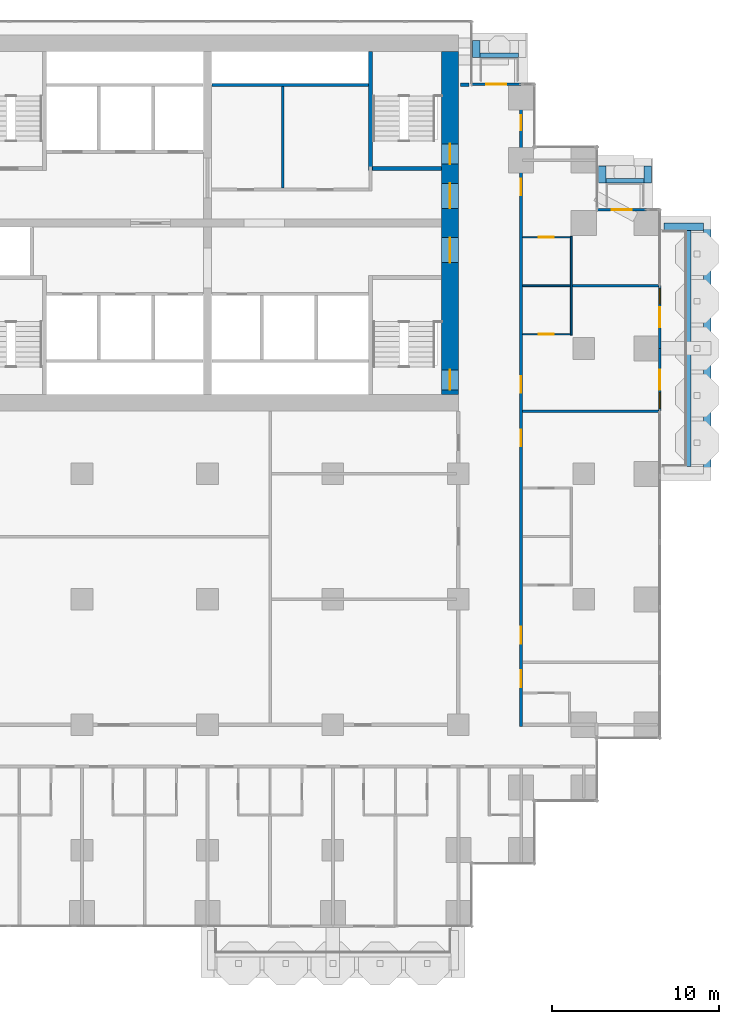
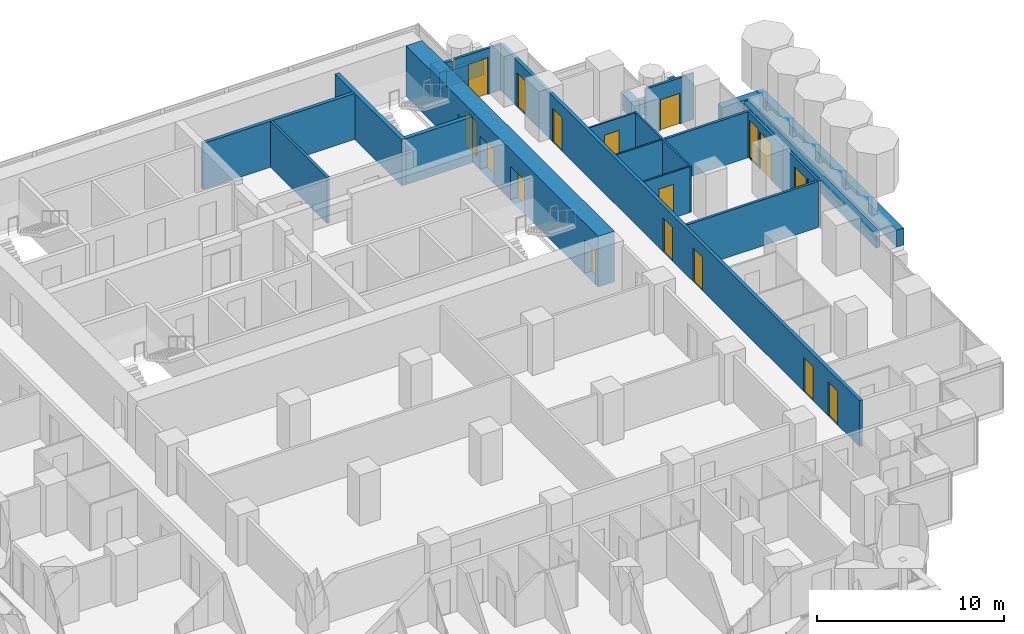
# One storey, part 15 of 19: 25 walls, 16 doors, 2 windows, 18 openings.
"""IFC4 building model written with IfcOpenShell, lengths in metres."""

from ifc_helpers import new_model, si_unit, direction, frame, frame_2d, origin, place, context, subcontext, project, spatial, rectangle, extrude, material, layer, layer_set, type_object, element, fill, save


model = new_model("IFC4")

# Units and contexts
model_context = context("Model", 3, precision=1e-05, world=origin(), true_north=direction((0.0, 1.0)))
body_context = subcontext(model_context, "Body", "Model", "MODEL_VIEW")
ifc_project = project(units=[si_unit("LENGTHUNIT", "METRE"), si_unit("AREAUNIT", "SQUARE_METRE"), si_unit("VOLUMEUNIT", "CUBIC_METRE"), si_unit("PLANEANGLEUNIT", "RADIAN"), si_unit("MASSUNIT", "GRAM", prefix="KILO")], contexts=[model_context])

# Site, building, storey
site_placement = place(None, origin())
site = spatial("IfcSite", under=ifc_project, at=site_placement, CompositionType="ELEMENT")
building_placement = place(site_placement, origin())
building = spatial("IfcBuilding", under=site, at=building_placement, Name="Pilkhan Gate Tower", CompositionType="ELEMENT")
storey_placement = place(building_placement, frame((0.0, 0.0, 72.5)))
storey = spatial("IfcBuildingStorey", under=building, at=storey_placement, Name="L16", CompositionType="ELEMENT", Elevation=72.5)

# Walls
ifc_material_1 = material(Name="Concrete C40/50", Category="concrete")
ifc_layer_1 = layer(ifc_material_1, 0.25)
ifc_layer_set_1 = layer_set([ifc_layer_1], Name="Balcony planter BP250")
wall_type_1 = type_object("IfcWallType", Name="Balcony planter BP250", PredefinedType="USERDEFINED", material=ifc_layer_set_1)
wall_1_placement = place(storey_placement, frame((103.77490234375, 67.949951171875, 0.0), z_axis=(0.0, 0.0, 1.0), x_axis=(0.0, 1.0, 0.0)))
element("IfcWall", 1, at=wall_1_placement, inside=storey, type_object=wall_type_1, Name="Balcony planter L16 E", ObjectType="BALCONY PLANTER", PredefinedType="USERDEFINED", context=body_context, shape_type="SweptSolid", body=[
    extrude(rectangle(XDim=14.10009765625, YDim=0.25, at=frame_2d((7.050048828125, 0.0))), origin(), (0.0, 0.0, 1.0), 1.0),
])
wall_2_placement = place(storey_placement, frame((91.300048828125, 92.52490234375, 0.0), z_axis=(0.0, 0.0, 1.0), x_axis=(1.0, 0.0, 0.0)))
element("IfcWall", 2, at=wall_2_placement, inside=storey, type_object=wall_type_1, Name="Balcony planter L16 N", ObjectType="BALCONY PLANTER", PredefinedType="USERDEFINED", context=body_context, shape_type="SweptSolid", body=[
    extrude(rectangle(XDim=2.300048828125, YDim=0.25, at=frame_2d((1.14990234375, 0.0))), origin(), (0.0, 0.0, 1.0), 1.0),
])
wall_3_placement = place(storey_placement, frame((98.820068359375, 85.02490234375, 0.0), z_axis=(0.0, 0.0, 1.0), x_axis=(1.0, 0.0, 0.0)))
element("IfcWall", 3, at=wall_3_placement, inside=storey, type_object=wall_type_1, Name="Balcony planter L16 N", ObjectType="BALCONY PLANTER", PredefinedType="USERDEFINED", context=body_context, shape_type="SweptSolid", body=[
    extrude(rectangle(XDim=2.280029296875, YDim=0.25, at=frame_2d((1.14013671875, 0.0))), origin(), (0.0, 0.0, 1.0), 1.0),
])
ifc_material_2 = material(Name="Board-marked Concrete C40/50", Category="concrete")
ifc_layer_2 = layer(ifc_material_2, 0.449951171875)
ifc_layer_set_2 = layer_set([ifc_layer_2], Name="Balcony planter lip BL450")
wall_type_2 = type_object("IfcWallType", Name="Balcony planter lip BL450", PredefinedType="USERDEFINED", material=ifc_layer_set_2)
wall_4_placement = place(storey_placement, frame((104.875, 67.5, 0.0), z_axis=(0.0, 0.0, 1.0), x_axis=(0.0, 1.0, 0.0)))
element("IfcWall", 4, at=wall_4_placement, inside=storey, type_object=wall_type_2, Name="Balcony planter L16 E", ObjectType="BALCONY PLANTER", PredefinedType="USERDEFINED", context=body_context, shape_type="SweptSolid", body=[
    extrude(rectangle(XDim=15.0, YDim=0.449951171875, at=frame_2d((7.5, 0.0))), origin(), (0.0, 0.0, 1.0), 1.10009765625),
])
wall_5_placement = place(storey_placement, frame((102.300048828125, 82.27490234375, 0.0), z_axis=(0.0, 0.0, 1.0), x_axis=(1.0, 0.0, 0.0)))
element("IfcWall", 5, at=wall_5_placement, inside=storey, type_object=wall_type_2, Name="Balcony planter L16 E", ObjectType="BALCONY PLANTER", PredefinedType="USERDEFINED", context=body_context, shape_type="SweptSolid", body=[
    extrude(rectangle(XDim=2.349853515625, YDim=0.449951171875, at=frame_2d((1.1748046875, 0.0))), origin(), (0.0, 0.0, 1.0), 1.10009765625),
])
for number, where, z_axis, x_axis, name in (
    (6, (91.074951171875, 92.39990234375, 0.0), (0.0, 0.0, 1.0), (0.0, 1.0, 0.0), "Balcony planter L16 N"),
    (7, (98.594970703125, 84.89990234375, 0.0), (0.0, 0.0, 1.0), (0.0, 1.0, 0.0), "Balcony planter L16 N"),
    (8, (101.324951171875, 84.89990234375, 0.0), (0.0, 0.0, 1.0), (0.0, 1.0, 0.0), "Balcony planter L16 N"),
):
    element("IfcWall", number, at=place(storey_placement, frame(where, z_axis=z_axis, x_axis=x_axis)), inside=storey, type_object=wall_type_2, Name=name, ObjectType="BALCONY PLANTER", PredefinedType="USERDEFINED", context=body_context, shape_type="SweptSolid", body=[
        extrude(rectangle(XDim=1.0, YDim=0.449951171875, at=frame_2d((0.5, 0.0))), origin(), (0.0, 0.0, 1.0), 1.10009765625),
    ])

# Wall, openings, doors
ifc_material_3 = material(Name="Concrete C70/85", Category="concrete")
ifc_layer_3 = layer(ifc_material_3, 1.0)
ifc_layer_set_3 = layer_set([ifc_layer_3], Name="Core wall CW1000 C70/85")
wall_type_3 = type_object("IfcWallType", Name="Core wall CW1000 C70/85", PredefinedType="SHEAR", material=ifc_layer_set_3)
wall_6_placement = place(storey_placement, frame((89.5, 72.25, 0.0), z_axis=(0.0, 0.0, 1.0), x_axis=(0.0, 1.0, 0.0)))
wall_6 = element("IfcWall", 9, at=wall_6_placement, inside=storey, type_object=wall_type_3, Name="Core wall E L16", PredefinedType="SHEAR", context=body_context, shape_type="SweptSolid", body=[
    extrude(rectangle(XDim=20.5, YDim=1.0, at=frame_2d((10.25, 0.0))), origin(), (0.0, 0.0, 1.0), 3.300048828125),
])
opening_1_placement = place(wall_6_placement, frame((0.27490234375, 0.0, 0.0)))
opening_1 = element("IfcOpeningElement", 10, at=opening_1_placement, cuts=wall_6, Name="Opening L16-03", PredefinedType="OPENING", context=body_context, shape_type="SweptSolid", body=[
    extrude(rectangle(XDim=1.199951171875, YDim=2.199951171875, at=frame_2d((0.60009765625, 1.10009765625))), frame((0.0, 0.510009765625, 0.0), z_axis=(0.0, -1.0, 0.0), x_axis=(1.0, 0.0, 0.0)), (0.0, 0.0, 1.0), 1.02001953125),
])
opening_2_placement = place(wall_6_placement, frame((13.77490234375, 0.0, 0.0)))
opening_2 = element("IfcOpeningElement", 11, at=opening_2_placement, cuts=wall_6, Name="Opening L16-05", PredefinedType="OPENING", context=body_context, shape_type="SweptSolid", body=[
    extrude(rectangle(XDim=1.199951171875, YDim=2.199951171875, at=frame_2d((0.60009765625, 1.10009765625))), frame((0.0, 0.510009765625, 0.0), z_axis=(0.0, -1.0, 0.0), x_axis=(1.0, 0.0, 0.0)), (0.0, 0.0, 1.0), 1.02001953125),
])
opening_3_placement = place(wall_6_placement, frame((7.875, 0.0, 0.0)))
opening_3 = element("IfcOpeningElement", 12, at=opening_3_placement, cuts=wall_6, Name="Opening L16-46", PredefinedType="OPENING", context=body_context, shape_type="SweptSolid", body=[
    extrude(rectangle(XDim=1.5, YDim=2.199951171875, at=frame_2d((0.75, 1.10009765625))), frame((0.0, 0.510009765625, 0.0), z_axis=(0.0, -1.0, 0.0), x_axis=(1.0, 0.0, 0.0)), (0.0, 0.0, 1.0), 1.02001953125),
])
opening_4_placement = place(wall_6_placement, frame((11.125, 0.0, 0.0)))
opening_4 = element("IfcOpeningElement", 13, at=opening_4_placement, cuts=wall_6, Name="Opening L16-48", PredefinedType="OPENING", context=body_context, shape_type="SweptSolid", body=[
    extrude(rectangle(XDim=1.5, YDim=2.199951171875, at=frame_2d((0.75, 1.10009765625))), frame((0.0, 0.510009765625, 0.0), z_axis=(0.0, -1.0, 0.0), x_axis=(1.0, 0.0, 0.0)), (0.0, 0.0, 1.0), 1.02001953125),
])
ifc_material_4 = material(Name="Steel framed glazed door, 60 minute fire resisting", Category="steel")
door_type_1 = type_object("IfcDoorType", Name="Lobby door D09 1500x2200", OperationType="DOUBLE_DOOR_SINGLE_SWING", PredefinedType="DOOR", material=ifc_material_4)
door_1_placement = place(opening_3_placement, origin())
door_1 = element("IfcDoor", 14, at=door_1_placement, inside=storey, type_object=door_type_1, Name="Core door", OperationType="DOUBLE_DOOR_SINGLE_SWING", OverallHeight=2.199951171875, OverallWidth=1.5, PredefinedType="DOOR", context=body_context, shape_type="SweptSolid", body=[
    extrude(rectangle(XDim=1.5, YDim=2.199951171875, at=frame_2d((0.75, 1.10009765625))), frame((0.0, 0.02490234375, 0.0), z_axis=(0.0, -1.0, 0.0), x_axis=(1.0, 0.0, 0.0)), (0.0, 0.0, 1.0), 0.050048828125),
])
fill(opening_3, door_1)
door_2_placement = place(opening_4_placement, origin())
door_2 = element("IfcDoor", 15, at=door_2_placement, inside=storey, type_object=door_type_1, Name="Core door", OperationType="DOUBLE_DOOR_SINGLE_SWING", OverallHeight=2.199951171875, OverallWidth=1.5, PredefinedType="DOOR", context=body_context, shape_type="SweptSolid", body=[
    extrude(rectangle(XDim=1.5, YDim=2.199951171875, at=frame_2d((0.75, 1.10009765625))), frame((0.0, 0.02490234375, 0.0), z_axis=(0.0, -1.0, 0.0), x_axis=(1.0, 0.0, 0.0)), (0.0, 0.0, 1.0), 0.050048828125),
])
fill(opening_4, door_2)
ifc_material_5 = material(Name="Steel door, 120 minute fire resisting, panic bar", Category="steel")
door_type_2 = type_object("IfcDoorType", Name="Stair door D11 1200x2200", OperationType="SINGLE_SWING_LEFT", PredefinedType="DOOR", material=ifc_material_5)
door_3_placement = place(opening_1_placement, origin())
door_3 = element("IfcDoor", 16, at=door_3_placement, inside=storey, type_object=door_type_2, Name="Stair ST1 door", OperationType="SINGLE_SWING_RIGHT", OverallHeight=2.199951171875, OverallWidth=1.199951171875, PredefinedType="DOOR", context=body_context, shape_type="SweptSolid", body=[
    extrude(rectangle(XDim=1.199951171875, YDim=2.199951171875, at=frame_2d((0.60009765625, 1.10009765625))), frame((0.0, 0.02490234375, 0.0), z_axis=(0.0, -1.0, 0.0), x_axis=(1.0, 0.0, 0.0)), (0.0, 0.0, 1.0), 0.050048828125),
])
fill(opening_1, door_3)
door_4_placement = place(opening_2_placement, origin())
door_4 = element("IfcDoor", 17, at=door_4_placement, inside=storey, type_object=door_type_2, Name="Stair ST4 door", OperationType="SINGLE_SWING_RIGHT", OverallHeight=2.199951171875, OverallWidth=1.199951171875, PredefinedType="DOOR", context=body_context, shape_type="SweptSolid", body=[
    extrude(rectangle(XDim=1.199951171875, YDim=2.199951171875, at=frame_2d((0.60009765625, 1.10009765625))), frame((0.0, 0.02490234375, 0.0), z_axis=(0.0, -1.0, 0.0), x_axis=(1.0, 0.0, 0.0)), (0.0, 0.0, 1.0), 0.050048828125),
])
fill(opening_2, door_4)

# Wall
ifc_material_6 = material(Name="Dense blockwork", Category="masonry")
ifc_layer_4 = layer(ifc_material_6, 0.199951171875)
ifc_layer_set_4 = layer_set([ifc_layer_4], Name="Corridor wall FW200")
wall_type_4 = type_object("IfcWallType", Name="Corridor wall FW200", PredefinedType="PARTITIONING", material=ifc_layer_set_4)
wall_7_placement = place(storey_placement, frame((90.1201171875, 90.764892578125, 0.0), z_axis=(0.0, 0.0, 1.0), x_axis=(1.0, 0.0, 0.0)))
element("IfcWall", 18, at=wall_7_placement, inside=storey, type_object=wall_type_4, Name="Partition L16", PredefinedType="PARTITIONING", context=body_context, shape_type="SweptSolid", body=[
    extrude(rectangle(XDim=0.52490234375, YDim=0.199951171875, at=frame_2d((0.262451171875, 0.0))), origin(), (0.0, 0.0, 1.0), 3.0),
])

# Wall, openings, doors
wall_8_placement = place(storey_placement, frame((93.75, 52.39990234375, 0.0), z_axis=(0.0, 0.0, 1.0), x_axis=(0.0, 1.0, 0.0)))
wall_8 = element("IfcWall", 19, at=wall_8_placement, inside=storey, type_object=wall_type_4, Name="Partition L16", PredefinedType="PARTITIONING", context=body_context, shape_type="SweptSolid", body=[
    extrude(rectangle(XDim=38.31005859375, YDim=0.199951171875, at=frame_2d((19.155029296875, 0.0))), origin(), (0.0, 0.0, 1.0), 3.0),
])
opening_5_placement = place(wall_8_placement, frame((2.35009765625, 0.0, 0.0)))
opening_5 = element("IfcOpeningElement", 20, at=opening_5_placement, cuts=wall_8, Name="Opening L16-36", PredefinedType="OPENING", context=body_context, shape_type="SweptSolid", body=[
    extrude(rectangle(XDim=1.0, YDim=2.199951171875, at=frame_2d((0.5, 1.10009765625))), frame((0.0, 0.10986328125, 0.0), z_axis=(0.0, -1.0, 0.0), x_axis=(1.0, 0.0, 0.0)), (0.0, 0.0, 1.0), 0.219970703125),
])
opening_6_placement = place(wall_8_placement, frame((4.949951171875, 0.0, 0.0)))
opening_6 = element("IfcOpeningElement", 21, at=opening_6_placement, cuts=wall_8, Name="Opening L16-38", PredefinedType="OPENING", context=body_context, shape_type="SweptSolid", body=[
    extrude(rectangle(XDim=1.0, YDim=2.199951171875, at=frame_2d((0.5, 1.10009765625))), frame((0.0, 0.10986328125, 0.0), z_axis=(0.0, -1.0, 0.0), x_axis=(1.0, 0.0, 0.0)), (0.0, 0.0, 1.0), 0.219970703125),
])
opening_7_placement = place(wall_8_placement, frame((16.75, 0.0, 0.0)))
opening_7 = element("IfcOpeningElement", 22, at=opening_7_placement, cuts=wall_8, Name="Opening L16-40", PredefinedType="OPENING", context=body_context, shape_type="SweptSolid", body=[
    extrude(rectangle(XDim=1.0, YDim=2.199951171875, at=frame_2d((0.5, 1.10009765625))), frame((0.0, 0.10986328125, 0.0), z_axis=(0.0, -1.0, 0.0), x_axis=(1.0, 0.0, 0.0)), (0.0, 0.0, 1.0), 0.219970703125),
])
opening_8_placement = place(wall_8_placement, frame((19.949951171875, 0.0, 0.0)))
opening_8 = element("IfcOpeningElement", 23, at=opening_8_placement, cuts=wall_8, Name="Opening L16-42", PredefinedType="OPENING", context=body_context, shape_type="SweptSolid", body=[
    extrude(rectangle(XDim=1.0, YDim=2.199951171875, at=frame_2d((0.5, 1.10009765625))), frame((0.0, 0.10986328125, 0.0), z_axis=(0.0, -1.0, 0.0), x_axis=(1.0, 0.0, 0.0)), (0.0, 0.0, 1.0), 0.219970703125),
])
opening_9_placement = place(wall_8_placement, frame((31.75, 0.0, 0.0)))
opening_9 = element("IfcOpeningElement", 24, at=opening_9_placement, cuts=wall_8, Name="Opening L16-44", PredefinedType="OPENING", context=body_context, shape_type="SweptSolid", body=[
    extrude(rectangle(XDim=1.0, YDim=2.199951171875, at=frame_2d((0.5, 1.10009765625))), frame((0.0, 0.10986328125, 0.0), z_axis=(0.0, -1.0, 0.0), x_axis=(1.0, 0.0, 0.0)), (0.0, 0.0, 1.0), 0.219970703125),
])
opening_10_placement = place(wall_8_placement, frame((35.64990234375, 0.0, 0.0)))
opening_10 = element("IfcOpeningElement", 25, at=opening_10_placement, cuts=wall_8, Name="Opening L16-53", PredefinedType="OPENING", context=body_context, shape_type="SweptSolid", body=[
    extrude(rectangle(XDim=0.89990234375, YDim=2.199951171875, at=frame_2d((0.449951171875, 1.10009765625))), frame((0.0, 0.10986328125, 0.0), z_axis=(0.0, -1.0, 0.0), x_axis=(1.0, 0.0, 0.0)), (0.0, 0.0, 1.0), 0.219970703125),
])
ifc_material_7 = material(Name="Timber flush door, 30 minute fire resisting", Category="wood")
door_type_3 = type_object("IfcDoorType", Name="Guest room door D01 1000x2200", OperationType="SINGLE_SWING_LEFT", PredefinedType="DOOR", material=ifc_material_7)
door_5_placement = place(opening_5_placement, origin())
door_5 = element("IfcDoor", 26, at=door_5_placement, inside=storey, type_object=door_type_3, Name="Guest room door", OperationType="SINGLE_SWING_LEFT", OverallHeight=2.199951171875, OverallWidth=1.0, PredefinedType="DOOR", context=body_context, shape_type="SweptSolid", body=[
    extrude(rectangle(XDim=1.0, YDim=2.199951171875, at=frame_2d((0.5, 1.10009765625))), frame((0.0, 0.02490234375, 0.0), z_axis=(0.0, -1.0, 0.0), x_axis=(1.0, 0.0, 0.0)), (0.0, 0.0, 1.0), 0.050048828125),
])
fill(opening_5, door_5)
door_6_placement = place(opening_6_placement, origin())
door_6 = element("IfcDoor", 27, at=door_6_placement, inside=storey, type_object=door_type_3, Name="Guest room door", OperationType="SINGLE_SWING_LEFT", OverallHeight=2.199951171875, OverallWidth=1.0, PredefinedType="DOOR", context=body_context, shape_type="SweptSolid", body=[
    extrude(rectangle(XDim=1.0, YDim=2.199951171875, at=frame_2d((0.5, 1.10009765625))), frame((0.0, 0.02490234375, 0.0), z_axis=(0.0, -1.0, 0.0), x_axis=(1.0, 0.0, 0.0)), (0.0, 0.0, 1.0), 0.050048828125),
])
fill(opening_6, door_6)
door_7_placement = place(opening_7_placement, origin())
door_7 = element("IfcDoor", 28, at=door_7_placement, inside=storey, type_object=door_type_3, Name="Guest room door", OperationType="SINGLE_SWING_LEFT", OverallHeight=2.199951171875, OverallWidth=1.0, PredefinedType="DOOR", context=body_context, shape_type="SweptSolid", body=[
    extrude(rectangle(XDim=1.0, YDim=2.199951171875, at=frame_2d((0.5, 1.10009765625))), frame((0.0, 0.02490234375, 0.0), z_axis=(0.0, -1.0, 0.0), x_axis=(1.0, 0.0, 0.0)), (0.0, 0.0, 1.0), 0.050048828125),
])
fill(opening_7, door_7)
door_8_placement = place(opening_8_placement, origin())
door_8 = element("IfcDoor", 29, at=door_8_placement, inside=storey, type_object=door_type_3, Name="Guest room door", OperationType="SINGLE_SWING_LEFT", OverallHeight=2.199951171875, OverallWidth=1.0, PredefinedType="DOOR", context=body_context, shape_type="SweptSolid", body=[
    extrude(rectangle(XDim=1.0, YDim=2.199951171875, at=frame_2d((0.5, 1.10009765625))), frame((0.0, 0.02490234375, 0.0), z_axis=(0.0, -1.0, 0.0), x_axis=(1.0, 0.0, 0.0)), (0.0, 0.0, 1.0), 0.050048828125),
])
fill(opening_8, door_8)
door_9_placement = place(opening_9_placement, origin())
door_9 = element("IfcDoor", 30, at=door_9_placement, inside=storey, type_object=door_type_3, Name="Guest room door", OperationType="SINGLE_SWING_LEFT", OverallHeight=2.199951171875, OverallWidth=1.0, PredefinedType="DOOR", context=body_context, shape_type="SweptSolid", body=[
    extrude(rectangle(XDim=1.0, YDim=2.199951171875, at=frame_2d((0.5, 1.10009765625))), frame((0.0, 0.02490234375, 0.0), z_axis=(0.0, -1.0, 0.0), x_axis=(1.0, 0.0, 0.0)), (0.0, 0.0, 1.0), 0.050048828125),
])
fill(opening_9, door_9)
ifc_material_8 = material(Name="Timber flush door, 60 minute fire resisting, self-closing", Category="wood")
door_type_4 = type_object("IfcDoorType", Name="Store door D05 900x2200", OperationType="SINGLE_SWING_LEFT", PredefinedType="DOOR", material=ifc_material_8)
door_10_placement = place(opening_10_placement, origin())
door_10 = element("IfcDoor", 31, at=door_10_placement, inside=storey, type_object=door_type_4, Name="Store door", OperationType="SINGLE_SWING_LEFT", OverallHeight=2.199951171875, OverallWidth=0.89990234375, PredefinedType="DOOR", context=body_context, shape_type="SweptSolid", body=[
    extrude(rectangle(XDim=0.89990234375, YDim=2.199951171875, at=frame_2d((0.449951171875, 1.10009765625))), frame((0.0, 0.02490234375, 0.0), z_axis=(0.0, -1.0, 0.0), x_axis=(1.0, 0.0, 0.0)), (0.0, 0.0, 1.0), 0.050048828125),
])
fill(opening_10, door_10)

# Wall, openings, door, window
ifc_material_9 = material(Name="Pale anodised aluminium, clear laminated glazing", Category="aluminium")
ifc_layer_5 = layer(ifc_material_9, 0.14990234375)
ifc_layer_set_5 = layer_set([ifc_layer_5], Name="Facade infill wall IW150")
wall_type_5 = type_object("IfcWallType", Name="Facade infill wall IW150", PredefinedType="SOLIDWALL", material=ifc_layer_set_5)
wall_9_placement = place(storey_placement, frame((102.044921875, 71.25, 0.0), z_axis=(0.0, 0.0, 1.0), x_axis=(0.0, 1.0, 0.0)))
wall_9 = element("IfcWall", 32, at=wall_9_placement, inside=storey, type_object=wall_type_5, Name="Infill wall L16 E", PredefinedType="SOLIDWALL", context=body_context, shape_type="SweptSolid", body=[
    extrude(rectangle(XDim=3.75, YDim=0.14990234375, at=frame_2d((1.875, 0.0))), origin(), (0.0, 0.0, 1.0), 3.0),
])
opening_11_placement = place(wall_9_placement, frame((0.1875, 0.0, 0.10009765625)))
opening_11 = element("IfcOpeningElement", 33, at=opening_11_placement, cuts=wall_9, Name="Opening W1", PredefinedType="OPENING", context=body_context, shape_type="SweptSolid", body=[
    extrude(rectangle(XDim=0.89990234375, YDim=2.39990234375, at=frame_2d((0.449951171875, 1.199951171875))), frame((0.0, 0.0849609375, 0.0), z_axis=(0.0, -1.0, 0.0), x_axis=(1.0, 0.0, 0.0)), (0.0, 0.0, 1.0), 0.169921875),
])
opening_12_placement = place(wall_9_placement, frame((1.27490234375, 0.0, 0.0)))
opening_12 = element("IfcOpeningElement", 34, at=opening_12_placement, cuts=wall_9, Name="Opening D1", PredefinedType="OPENING", context=body_context, shape_type="SweptSolid", body=[
    extrude(rectangle(XDim=1.199951171875, YDim=2.39990234375, at=frame_2d((0.60009765625, 1.199951171875))), frame((0.0, 0.0849609375, 0.0), z_axis=(0.0, -1.0, 0.0), x_axis=(1.0, 0.0, 0.0)), (0.0, 0.0, 1.0), 0.169921875),
])
ifc_material_10 = material(Name="Pale anodised aluminium, clear glazing", Category="aluminium")
door_type_5 = type_object("IfcDoorType", Name="Balcony door D1 1200x2400", OperationType="SINGLE_SWING_LEFT", PredefinedType="DOOR", material=ifc_material_10)
door_11_placement = place(opening_12_placement, origin())
door_11 = element("IfcDoor", 35, at=door_11_placement, inside=storey, type_object=door_type_5, Name="Balcony door L16", OperationType="SINGLE_SWING_LEFT", OverallHeight=2.39990234375, OverallWidth=1.199951171875, PredefinedType="DOOR", context=body_context, shape_type="SweptSolid", body=[
    extrude(rectangle(XDim=1.199951171875, YDim=2.39990234375, at=frame_2d((0.60009765625, 1.199951171875))), frame((0.0, 0.02490234375, 0.0), z_axis=(0.0, -1.0, 0.0), x_axis=(1.0, 0.0, 0.0)), (0.0, 0.0, 1.0), 0.050048828125),
])
fill(opening_12, door_11)
ifc_material_11 = material(Name="Pale anodised aluminium, clear double glazing", Category="aluminium")
window_type = type_object("IfcWindowType", Name="Window W1 900x2400", PartitioningType="SINGLE_PANEL", PredefinedType="WINDOW", material=ifc_material_11)
window_1_placement = place(opening_11_placement, origin())
window_1 = element("IfcWindow", 36, at=window_1_placement, inside=storey, type_object=window_type, Name="Window L16", OverallHeight=2.39990234375, OverallWidth=0.89990234375, PartitioningType="SINGLE_PANEL", PredefinedType="WINDOW", context=body_context, shape_type="SweptSolid", body=[
    extrude(rectangle(XDim=0.89990234375, YDim=2.39990234375, at=frame_2d((0.449951171875, 1.199951171875))), frame((0.0, 0.030029296875, 0.0), z_axis=(0.0, -1.0, 0.0), x_axis=(1.0, 0.0, 0.0)), (0.0, 0.0, 1.0), 0.06005859375),
])
fill(opening_11, window_1)

wall_10_placement = place(storey_placement, frame((102.044921875, 75.0, 0.0), z_axis=(0.0, 0.0, 1.0), x_axis=(0.0, 1.0, 0.0)))
wall_10 = element("IfcWall", 37, at=wall_10_placement, inside=storey, type_object=wall_type_5, Name="Infill wall L16 E", PredefinedType="SOLIDWALL", context=body_context, shape_type="SweptSolid", body=[
    extrude(rectangle(XDim=3.75, YDim=0.14990234375, at=frame_2d((1.875, 0.0))), origin(), (0.0, 0.0, 1.0), 3.0),
])
opening_13_placement = place(wall_10_placement, frame((1.27490234375, 0.0, 0.0)))
opening_13 = element("IfcOpeningElement", 38, at=opening_13_placement, cuts=wall_10, Name="Opening D1", PredefinedType="OPENING", context=body_context, shape_type="SweptSolid", body=[
    extrude(rectangle(XDim=1.199951171875, YDim=2.39990234375, at=frame_2d((0.60009765625, 1.199951171875))), frame((0.0, 0.0849609375, 0.0), z_axis=(0.0, -1.0, 0.0), x_axis=(1.0, 0.0, 0.0)), (0.0, 0.0, 1.0), 0.169921875),
])
opening_14_placement = place(wall_10_placement, frame((2.66259765625, 0.0, 0.10009765625)))
opening_14 = element("IfcOpeningElement", 39, at=opening_14_placement, cuts=wall_10, Name="Opening W1", PredefinedType="OPENING", context=body_context, shape_type="SweptSolid", body=[
    extrude(rectangle(XDim=0.89990234375, YDim=2.39990234375, at=frame_2d((0.449951171875, 1.199951171875))), frame((0.0, 0.0849609375, 0.0), z_axis=(0.0, -1.0, 0.0), x_axis=(1.0, 0.0, 0.0)), (0.0, 0.0, 1.0), 0.169921875),
])
door_12_placement = place(opening_13_placement, origin())
door_12 = element("IfcDoor", 40, at=door_12_placement, inside=storey, type_object=door_type_5, Name="Balcony door L16", OperationType="SINGLE_SWING_LEFT", OverallHeight=2.39990234375, OverallWidth=1.199951171875, PredefinedType="DOOR", context=body_context, shape_type="SweptSolid", body=[
    extrude(rectangle(XDim=1.199951171875, YDim=2.39990234375, at=frame_2d((0.60009765625, 1.199951171875))), frame((0.0, 0.02490234375, 0.0), z_axis=(0.0, -1.0, 0.0), x_axis=(1.0, 0.0, 0.0)), (0.0, 0.0, 1.0), 0.050048828125),
])
fill(opening_13, door_12)
window_2_placement = place(opening_14_placement, origin())
window_2 = element("IfcWindow", 41, at=window_2_placement, inside=storey, type_object=window_type, Name="Window L16", OverallHeight=2.39990234375, OverallWidth=0.89990234375, PartitioningType="SINGLE_PANEL", PredefinedType="WINDOW", context=body_context, shape_type="SweptSolid", body=[
    extrude(rectangle(XDim=0.89990234375, YDim=2.39990234375, at=frame_2d((0.449951171875, 1.199951171875))), frame((0.0, 0.030029296875, 0.0), z_axis=(0.0, -1.0, 0.0), x_axis=(1.0, 0.0, 0.0)), (0.0, 0.0, 1.0), 0.06005859375),
])
fill(opening_14, window_2)

# Wall, opening, door
wall_11_placement = place(storey_placement, frame((98.294921875, 83.294921875, 0.0), z_axis=(0.0, 0.0, 1.0), x_axis=(1.0, 0.0, 0.0)))
wall_11 = element("IfcWall", 42, at=wall_11_placement, inside=storey, type_object=wall_type_5, Name="Infill wall L16 N", PredefinedType="SOLIDWALL", context=body_context, shape_type="SweptSolid", body=[
    extrude(rectangle(XDim=2.955078125, YDim=0.14990234375, at=frame_2d((1.4775390625, 0.0))), origin(), (0.0, 0.0, 1.0), 3.0),
])
opening_15_placement = place(wall_11_placement, frame((0.87744140625, 0.0, 0.0)))
opening_15 = element("IfcOpeningElement", 43, at=opening_15_placement, cuts=wall_11, Name="Opening D1L", PredefinedType="OPENING", context=body_context, shape_type="SweptSolid", body=[
    extrude(rectangle(XDim=1.199951171875, YDim=2.0, at=frame_2d((0.60009765625, 1.0))), frame((0.0, 0.0849609375, 0.0), z_axis=(0.0, -1.0, 0.0), x_axis=(1.0, 0.0, 0.0)), (0.0, 0.0, 1.0), 0.169921875),
])
door_type_6 = type_object("IfcDoorType", Name="Balcony door D1L 1200x2000", OperationType="SINGLE_SWING_LEFT", PredefinedType="DOOR", material=ifc_material_10)
door_13_placement = place(opening_15_placement, origin())
door_13 = element("IfcDoor", 44, at=door_13_placement, inside=storey, type_object=door_type_6, Name="Balcony door L16", OperationType="SINGLE_SWING_LEFT", OverallHeight=2.0, OverallWidth=1.199951171875, PredefinedType="DOOR", context=body_context, shape_type="SweptSolid", body=[
    extrude(rectangle(XDim=1.199951171875, YDim=2.0, at=frame_2d((0.60009765625, 1.0))), frame((0.0, 0.02490234375, 0.0), z_axis=(0.0, -1.0, 0.0), x_axis=(1.0, 0.0, 0.0)), (0.0, 0.0, 1.0), 0.050048828125),
])
fill(opening_15, door_13)

wall_12_placement = place(storey_placement, frame((90.794921875, 90.794921875, 0.0), z_axis=(0.0, 0.0, 1.0), x_axis=(1.0, 0.0, 0.0)))
wall_12 = element("IfcWall", 45, at=wall_12_placement, inside=storey, type_object=wall_type_5, Name="Infill wall L16 N", PredefinedType="SOLIDWALL", context=body_context, shape_type="SweptSolid", body=[
    extrude(rectangle(XDim=2.955078125, YDim=0.14990234375, at=frame_2d((1.4775390625, 0.0))), origin(), (0.0, 0.0, 1.0), 3.0),
])
opening_16_placement = place(wall_12_placement, frame((0.87744140625, 0.0, 0.0)))
opening_16 = element("IfcOpeningElement", 46, at=opening_16_placement, cuts=wall_12, Name="Opening D1", PredefinedType="OPENING", context=body_context, shape_type="SweptSolid", body=[
    extrude(rectangle(XDim=1.199951171875, YDim=2.39990234375, at=frame_2d((0.60009765625, 1.199951171875))), frame((0.0, 0.0849609375, 0.0), z_axis=(0.0, -1.0, 0.0), x_axis=(1.0, 0.0, 0.0)), (0.0, 0.0, 1.0), 0.169921875),
])
door_14_placement = place(opening_16_placement, origin())
door_14 = element("IfcDoor", 47, at=door_14_placement, inside=storey, type_object=door_type_5, Name="Balcony door L16", OperationType="SINGLE_SWING_LEFT", OverallHeight=2.39990234375, OverallWidth=1.199951171875, PredefinedType="DOOR", context=body_context, shape_type="SweptSolid", body=[
    extrude(rectangle(XDim=1.199951171875, YDim=2.39990234375, at=frame_2d((0.60009765625, 1.199951171875))), frame((0.0, 0.02490234375, 0.0), z_axis=(0.0, -1.0, 0.0), x_axis=(1.0, 0.0, 0.0)), (0.0, 0.0, 1.0), 0.050048828125),
])
fill(opening_16, door_14)

# Walls
ifc_layer_6 = layer(ifc_material_6, 0.199951171875)
ifc_layer_set_6 = layer_set([ifc_layer_6], Name="Lobby wall LW200")
wall_type_6 = type_object("IfcWallType", Name="Lobby wall LW200", PredefinedType="PARTITIONING", material=ifc_layer_set_6)
wall_13_placement = place(storey_placement, frame((75.260009765625, 90.75, 0.0), z_axis=(0.0, 0.0, 1.0), x_axis=(1.0, 0.0, 0.0)))
element("IfcWall", 48, at=wall_13_placement, inside=storey, type_object=wall_type_6, Name="Partition L16", PredefinedType="PARTITIONING", context=body_context, shape_type="SweptSolid", body=[
    extrude(rectangle(XDim=9.364990234375, YDim=0.199951171875, at=frame_2d((4.6826171875, 0.0))), origin(), (0.0, 0.0, 1.0), 3.0),
])
ifc_material_12 = material(Name="Blockwork partition, plastered both sides", Category="masonry")
ifc_layer_7 = layer(ifc_material_12, 0.14990234375)
ifc_layer_set_7 = layer_set([ifc_layer_7], Name="Partition PW150")
wall_type_7 = type_object("IfcWallType", Name="Partition PW150", PredefinedType="PARTITIONING", material=ifc_layer_set_7)
wall_14_placement = place(storey_placement, frame((93.85009765625, 71.25, 0.0), z_axis=(0.0, 0.0, 1.0), x_axis=(1.0, 0.0, 0.0)))
element("IfcWall", 49, at=wall_14_placement, inside=storey, type_object=wall_type_7, Name="Partition L16", PredefinedType="PARTITIONING", context=body_context, shape_type="SweptSolid", body=[
    extrude(rectangle(XDim=8.10986328125, YDim=0.14990234375, at=frame_2d((4.054931640625, 0.0))), origin(), (0.0, 0.0, 1.0), 3.0),
])
wall_15_placement = place(storey_placement, frame((96.800048828125, 78.75, 0.0), z_axis=(0.0, 0.0, 1.0), x_axis=(1.0, 0.0, 0.0)))
element("IfcWall", 50, at=wall_15_placement, inside=storey, type_object=wall_type_7, Name="Partition L16", PredefinedType="PARTITIONING", context=body_context, shape_type="SweptSolid", body=[
    extrude(rectangle(XDim=5.159912109375, YDim=0.14990234375, at=frame_2d((2.580078125, 0.0))), origin(), (0.0, 0.0, 1.0), 3.0),
])
wall_16_placement = place(storey_placement, frame((79.5, 84.60009765625, 0.0), z_axis=(0.0, 0.0, 1.0), x_axis=(0.0, 1.0, 0.0)))
element("IfcWall", 51, at=wall_16_placement, inside=storey, type_object=wall_type_7, Name="Partition L16", PredefinedType="PARTITIONING", context=body_context, shape_type="SweptSolid", body=[
    extrude(rectangle(XDim=6.0498046875, YDim=0.14990234375, at=frame_2d((3.02490234375, 0.0))), origin(), (0.0, 0.0, 1.0), 3.0),
])
ifc_material_13 = material(Name="Reinforced blockwork, 120 minute fire resisting", Category="masonry")
ifc_layer_8 = layer(ifc_material_13, 0.25)
ifc_layer_set_8 = layer_set([ifc_layer_8], Name="Stair enclosure wall SE250")
wall_type_8 = type_object("IfcWallType", Name="Stair enclosure wall SE250", PredefinedType="PARTITIONING", material=ifc_layer_set_8)
wall_17_placement = place(storey_placement, frame((84.875, 85.75, 0.0), z_axis=(0.0, 0.0, 1.0), x_axis=(1.0, 0.0, 0.0)))
element("IfcWall", 52, at=wall_17_placement, inside=storey, type_object=wall_type_8, Name="Partition L16", PredefinedType="PARTITIONING", context=body_context, shape_type="SweptSolid", body=[
    extrude(rectangle(XDim=4.114990234375, YDim=0.25, at=frame_2d((2.0576171875, 0.0))), origin(), (0.0, 0.0, 1.0), 3.0),
])
wall_18_placement = place(storey_placement, frame((84.75, 85.625, 0.0), z_axis=(0.0, 0.0, 1.0), x_axis=(0.0, 1.0, 0.0)))
element("IfcWall", 53, at=wall_18_placement, inside=storey, type_object=wall_type_8, Name="Partition L16", PredefinedType="PARTITIONING", context=body_context, shape_type="SweptSolid", body=[
    extrude(rectangle(XDim=7.114990234375, YDim=0.25, at=frame_2d((3.5576171875, 0.0))), origin(), (0.0, 0.0, 1.0), 3.0),
])

# Wall, opening, door
ifc_material_14 = material(Name="Moisture resistant board, tiled")
ifc_layer_9 = layer(ifc_material_14, 0.10009765625)
ifc_layer_set_9 = layer_set([ifc_layer_9], Name="Wet wall PW100")
wall_type_9 = type_object("IfcWallType", Name="Wet wall PW100", PredefinedType="PARTITIONING", material=ifc_layer_set_9)
wall_19_placement = place(storey_placement, frame((93.85009765625, 75.85009765625, 0.0), z_axis=(0.0, 0.0, 1.0), x_axis=(1.0, 0.0, 0.0)))
wall_19 = element("IfcWall", 54, at=wall_19_placement, inside=storey, type_object=wall_type_9, Name="Partition L16", PredefinedType="PARTITIONING", context=body_context, shape_type="SweptSolid", body=[
    extrude(rectangle(XDim=2.849853515625, YDim=0.10009765625, at=frame_2d((1.4248046875, 0.0))), origin(), (0.0, 0.0, 1.0), 3.0),
])
opening_17_placement = place(wall_19_placement, frame((0.949951171875, 0.0, 0.0)))
opening_17 = element("IfcOpeningElement", 55, at=opening_17_placement, cuts=wall_19, Name="Opening L16-43", PredefinedType="OPENING", context=body_context, shape_type="SweptSolid", body=[
    extrude(rectangle(XDim=0.89990234375, YDim=2.199951171875, at=frame_2d((0.449951171875, 1.10009765625))), frame((0.0, 0.06005859375, 0.0), z_axis=(0.0, -1.0, 0.0), x_axis=(1.0, 0.0, 0.0)), (0.0, 0.0, 1.0), 0.1201171875),
])
ifc_material_15 = material(Name="Timber flush door", Category="wood")
door_type_7 = type_object("IfcDoorType", Name="Bathroom door D02 900x2200", OperationType="SINGLE_SWING_RIGHT", PredefinedType="DOOR", material=ifc_material_15)
door_15_placement = place(opening_17_placement, origin())
door_15 = element("IfcDoor", 56, at=door_15_placement, inside=storey, type_object=door_type_7, Name="Bathroom door", OperationType="SINGLE_SWING_RIGHT", OverallHeight=2.199951171875, OverallWidth=0.89990234375, PredefinedType="DOOR", context=body_context, shape_type="SweptSolid", body=[
    extrude(rectangle(XDim=0.89990234375, YDim=2.199951171875, at=frame_2d((0.449951171875, 1.10009765625))), frame((0.0, 0.02490234375, 0.0), z_axis=(0.0, -1.0, 0.0), x_axis=(1.0, 0.0, 0.0)), (0.0, 0.0, 1.0), 0.050048828125),
])
fill(opening_17, door_15)

# Wall
wall_20_placement = place(storey_placement, frame((93.85009765625, 78.75, 0.0), z_axis=(0.0, 0.0, 1.0), x_axis=(1.0, 0.0, 0.0)))
element("IfcWall", 57, at=wall_20_placement, inside=storey, type_object=wall_type_9, Name="Partition L16", PredefinedType="PARTITIONING", context=body_context, shape_type="SweptSolid", body=[
    extrude(rectangle(XDim=2.849853515625, YDim=0.10009765625, at=frame_2d((1.4248046875, 0.0))), origin(), (0.0, 0.0, 1.0), 3.0),
])

# Wall, opening, door
wall_21_placement = place(storey_placement, frame((93.85009765625, 81.64990234375, 0.0), z_axis=(0.0, 0.0, 1.0), x_axis=(1.0, 0.0, 0.0)))
wall_21 = element("IfcWall", 58, at=wall_21_placement, inside=storey, type_object=wall_type_9, Name="Partition L16", PredefinedType="PARTITIONING", context=body_context, shape_type="SweptSolid", body=[
    extrude(rectangle(XDim=2.849853515625, YDim=0.10009765625, at=frame_2d((1.4248046875, 0.0))), origin(), (0.0, 0.0, 1.0), 3.0),
])
opening_18_placement = place(wall_21_placement, frame((0.949951171875, 0.0, 0.0)))
opening_18 = element("IfcOpeningElement", 59, at=opening_18_placement, cuts=wall_21, Name="Opening L16-45", PredefinedType="OPENING", context=body_context, shape_type="SweptSolid", body=[
    extrude(rectangle(XDim=0.89990234375, YDim=2.199951171875, at=frame_2d((0.449951171875, 1.10009765625))), frame((0.0, 0.06005859375, 0.0), z_axis=(0.0, -1.0, 0.0), x_axis=(1.0, 0.0, 0.0)), (0.0, 0.0, 1.0), 0.1201171875),
])
door_16_placement = place(opening_18_placement, origin())
door_16 = element("IfcDoor", 60, at=door_16_placement, inside=storey, type_object=door_type_7, Name="Bathroom door", OperationType="SINGLE_SWING_RIGHT", OverallHeight=2.199951171875, OverallWidth=0.89990234375, PredefinedType="DOOR", context=body_context, shape_type="SweptSolid", body=[
    extrude(rectangle(XDim=0.89990234375, YDim=2.199951171875, at=frame_2d((0.449951171875, 1.10009765625))), frame((0.0, 0.02490234375, 0.0), z_axis=(0.0, -1.0, 0.0), x_axis=(1.0, 0.0, 0.0)), (0.0, 0.0, 1.0), 0.050048828125),
])
fill(opening_18, door_16)

# Wall
wall_22_placement = place(storey_placement, frame((96.75, 75.800048828125, 0.0), z_axis=(0.0, 0.0, 1.0), x_axis=(0.0, 1.0, 0.0)))
element("IfcWall", 61, at=wall_22_placement, inside=storey, type_object=wall_type_9, Name="Partition L16", PredefinedType="PARTITIONING", context=body_context, shape_type="SweptSolid", body=[
    extrude(rectangle(XDim=5.89990234375, YDim=0.10009765625, at=frame_2d((2.949951171875, 0.0))), origin(), (0.0, 0.0, 1.0), 3.0),
])

save(model, "model.ifc")
